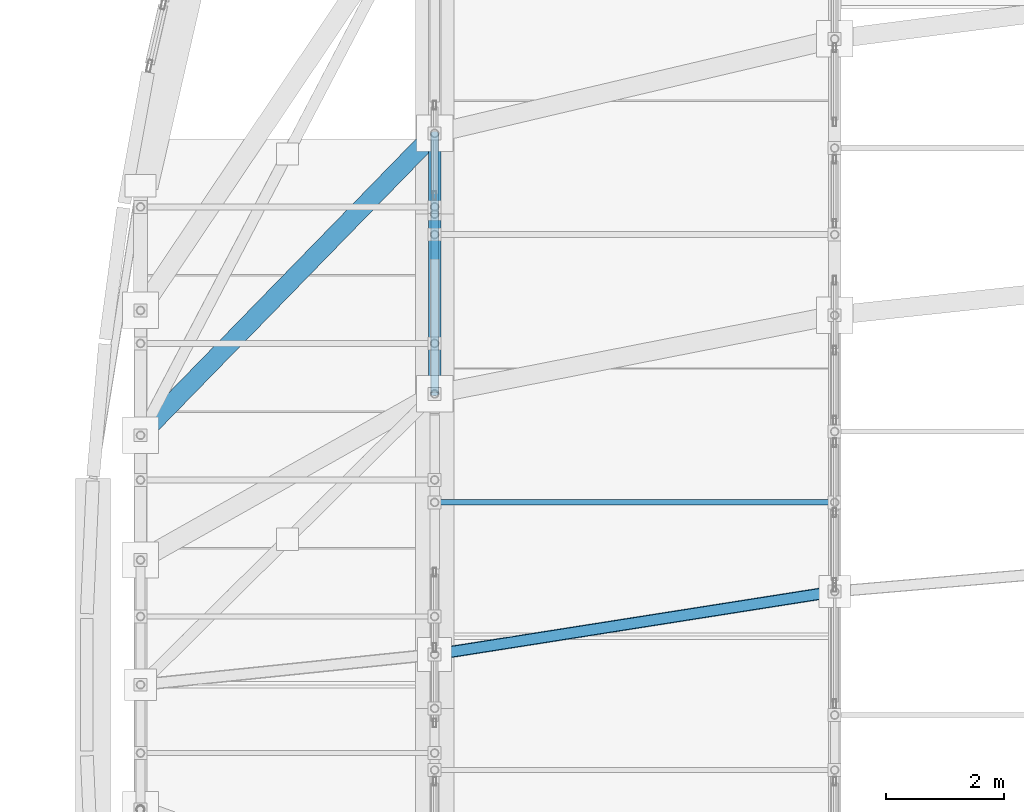
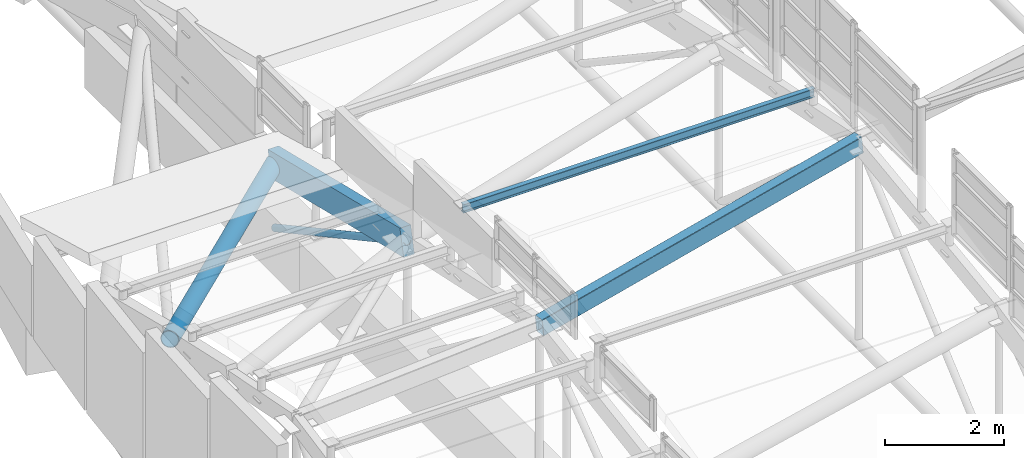
# One storey, part 82 of 188: 5 members.
"""IFC4 building model written with IfcOpenShell, lengths in metres."""

from ifc_helpers import new_model, si_unit, direction, frame, origin, origin_2d, place, context, subcontext, project, spatial, rectangle, hollow_rectangle, hollow_circle, i_section, extrude, material, material_profile, profile_set, type_object, element, save


model = new_model("IFC4")

# Units and contexts
model_context = context("Model", 3, precision=1e-05, world=origin(), true_north=direction((0.0, 1.0)))
body_context = subcontext(model_context, "Body", "Model", "MODEL_VIEW")
ifc_project = project(units=[si_unit("LENGTHUNIT", "METRE"), si_unit("AREAUNIT", "SQUARE_METRE"), si_unit("VOLUMEUNIT", "CUBIC_METRE"), si_unit("PLANEANGLEUNIT", "RADIAN"), si_unit("MASSUNIT", "GRAM", prefix="KILO")], contexts=[model_context])

# Site, building, storey
site_placement = place(None, origin())
site = spatial("IfcSite", under=ifc_project, at=site_placement, CompositionType="ELEMENT")
building_placement = place(site_placement, origin())
building = spatial("IfcBuilding", under=site, at=building_placement, Name="Kisaragi Civic Commons", CompositionType="ELEMENT")
storey_placement = place(building_placement, frame((0.0, 0.0, 9.60009765625)))
storey = spatial("IfcBuildingStorey", under=building, at=storey_placement, Name="L02", CompositionType="ELEMENT", Elevation=9.60009765625)

# Members
ifc_material_1 = material(Name="Steel SN490 (SN490B)", Category="steel")
ifc_material_profile_1 = material_profile(ifc_material_1, hollow_circle(Radius=0.1591796875, WallThickness=0.01025390625, at=origin_2d()), Name="CHS-318.5x10.3", Category="steel")
ifc_profile_set_1 = profile_set([ifc_material_profile_1], Name="Steel SN490 (SN490B)")
member_type_1 = type_object("IfcMemberType", Name="GC-03", PredefinedType="CHORD", material=ifc_profile_set_1)
member_1_placement = place(storey_placement, frame((1.800048828125, 100.641845703125, 1.8857421875), z_axis=(0.687586711875, 0.70564929249, -0.171124485861), x_axis=(-0.716213865784, 0.697880862654, 0.0)))
element("IfcMember", 1, at=member_1_placement, inside=storey, type_object=member_type_1, Name="V2 wave gridshell chord GC-03 6", PredefinedType="CHORD", context=body_context, shape_type="SweptSolid", body=[
    extrude(hollow_circle(Radius=0.1591796875, WallThickness=0.01025390625, at=origin_2d()), origin(), (0.0, 0.0, 1.0), 7.271728515625),
])
ifc_material_profile_2 = material_profile(ifc_material_1, hollow_rectangle(XDim=0.199951171875, YDim=0.35009765625, WallThickness=0.009033203125, InnerFilletRadius=0.009033203125, OuterFilletRadius=0.01806640625, at=origin_2d()), Name="STKR-350x200x9", Category="steel")
ifc_profile_set_2 = profile_set([ifc_material_profile_2], Name="Steel SN490 (SN490B)")
member_type_2 = type_object("IfcMemberType", Name="GC-04", PredefinedType="CHORD", material=ifc_profile_set_2)
member_2_placement = place(storey_placement, frame((6.800048828125, 96.91552734375, 2.6708984375), z_axis=(0.982574524115, 0.1545492044, 0.103256224898), x_axis=(-0.15537974169, 0.987854815179, 0.0)))
element("IfcMember", 2, at=member_2_placement, inside=storey, type_object=member_type_2, Name="V2 wave gridshell chord GC-04 11", PredefinedType="CHORD", context=body_context, shape_type="SweptSolid", body=[
    extrude(hollow_rectangle(XDim=0.199951171875, YDim=0.35009765625, WallThickness=0.009033203125, InnerFilletRadius=0.009033203125, OuterFilletRadius=0.01806640625, at=origin_2d()), origin(), (0.0, 0.0, 1.0), 6.920654296875),
])
ifc_material_2 = material(Name="Glulam E120-F330", Category="wood")
ifc_material_profile_3 = material_profile(ifc_material_2, rectangle(XDim=0.2099609375, YDim=0.5400390625, at=origin_2d()), Name="GL-210x540", Category="wood")
ifc_profile_set_3 = profile_set([ifc_material_profile_3], Name="Glulam E120-F330")
member_type_3 = type_object("IfcMemberType", Name="GR-04", PredefinedType="RAFTER", material=ifc_profile_set_3)
member_3_placement = place(storey_placement, frame((6.800048828125, 101.344482421875, 1.71337890625), z_axis=(0.0, 0.971930719903, -0.235267243169), x_axis=(-1.0, 0.0, 0.0)))
element("IfcMember", 3, at=member_3_placement, inside=storey, type_object=member_type_3, Name="V2 glulam arch rib GR-04 14", PredefinedType="RAFTER", context=body_context, shape_type="SweptSolid", body=[
    extrude(rectangle(XDim=0.2099609375, YDim=0.5400390625, at=origin_2d()), origin(), (0.0, 0.0, 1.0), 4.556640625),
])
ifc_material_3 = material(Name="Steel SN400 (SN400B)", Category="steel")
ifc_material_profile_4 = material_profile(ifc_material_3, i_section(OverallWidth=0.090087890625, OverallDepth=0.175048828125, WebThickness=0.0048828125, FlangeThickness=0.008056640625, FilletRadius=0.008056640625, at=origin_2d()), Name="H-175x90x5x8", Category="steel")
ifc_profile_set_4 = profile_set([ifc_material_profile_4], Name="Steel SN400 (SN400B)")
member_type_4 = type_object("IfcMemberType", Name="PR-03", PredefinedType="PURLIN", material=ifc_profile_set_4)
member_4_placement = place(storey_placement, frame((6.800048828125, 99.501220703125, 3.512451171875), z_axis=(1.0, 0.0, 0.0), x_axis=(0.0, 1.0, 0.0)))
element("IfcMember", 4, at=member_4_placement, inside=storey, type_object=member_type_4, Name="V2 wave vault steel purlin 13", PredefinedType="PURLIN", context=body_context, shape_type="SweptSolid", body=[
    extrude(i_section(OverallWidth=0.090087890625, OverallDepth=0.175048828125, WebThickness=0.0048828125, FlangeThickness=0.008056640625, FilletRadius=0.008056640625, at=origin_2d()), origin(), (0.0, 0.0, 1.0), 6.800048828125),
])
ifc_material_profile_5 = material_profile(ifc_material_1, hollow_circle(Radius=0.06982421875, WallThickness=0.006103515625, at=origin_2d()), Name="CHS-139.8x6.0", Category="steel")
ifc_profile_set_5 = profile_set([ifc_material_profile_5], Name="Steel SN490 (SN490B)")
member_type_5 = type_object("IfcMemberType", Name="ST-H1", PredefinedType="STRUT", material=ifc_profile_set_5)
member_5_placement = place(storey_placement, frame((6.800048828125, 105.773193359375, -0.69921875), z_axis=(0.0, -0.878150754995, 0.478384000048), x_axis=(1.0, 0.0, 0.0)))
element("IfcMember", 5, at=member_5_placement, inside=storey, type_object=member_type_5, Name="V2 tied arch truss diagonal web strut 28", PredefinedType="STRUT", context=body_context, shape_type="SweptSolid", body=[
    extrude(hollow_circle(Radius=0.06982421875, WallThickness=0.006103515625, at=origin_2d()), origin(), (0.0, 0.0, 1.0), 5.043212890625),
])

save(model, "model.ifc")
